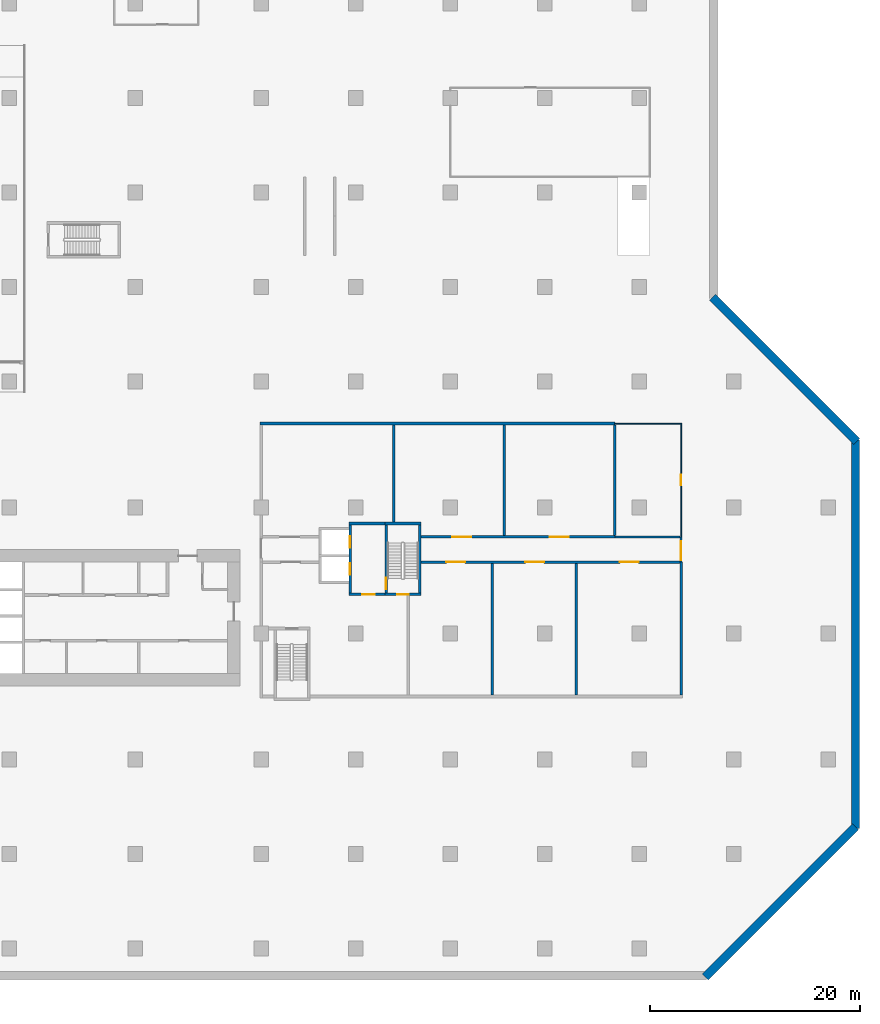
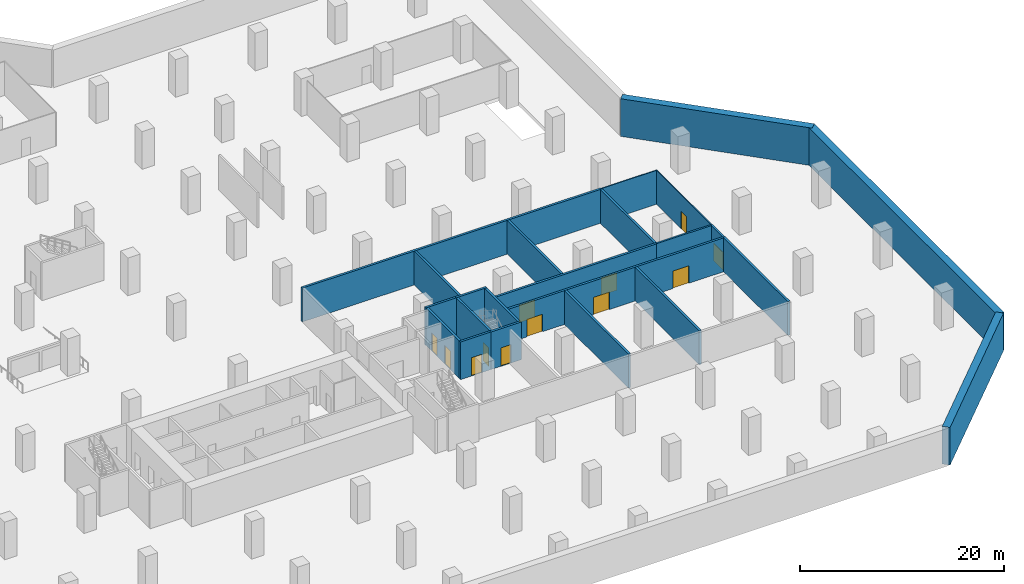
# One storey, part 5 of 10: 23 walls, 12 doors, 12 openings.
"""IFC4 building model written with IfcOpenShell, lengths in metres."""

from ifc_helpers import new_model, si_unit, direction, frame, frame_2d, origin, place, context, subcontext, project, spatial, rectangle, extrude, material, layer, layer_set, type_object, element, fill, save


model = new_model("IFC4")

# Units and contexts
model_context = context("Model", 3, precision=1e-05, world=origin(), true_north=direction((0.0, 1.0)))
body_context = subcontext(model_context, "Body", "Model", "MODEL_VIEW")
ifc_project = project(units=[si_unit("LENGTHUNIT", "METRE"), si_unit("AREAUNIT", "SQUARE_METRE"), si_unit("VOLUMEUNIT", "CUBIC_METRE"), si_unit("PLANEANGLEUNIT", "RADIAN"), si_unit("MASSUNIT", "GRAM", prefix="KILO")], contexts=[model_context])

# Site, building, storey
site_placement = place(None, origin())
site = spatial("IfcSite", under=ifc_project, at=site_placement, CompositionType="ELEMENT")
building_placement = place(site_placement, origin())
building = spatial("IfcBuilding", under=site, at=building_placement, Name="Chenar Terraces", CompositionType="ELEMENT")
storey_placement = place(building_placement, frame((0.0, 0.0, -9.0)))
storey = spatial("IfcBuildingStorey", under=building, at=storey_placement, Name="B2", CompositionType="ELEMENT", Elevation=-9.0)

# Wall, opening, door
ifc_material_1 = material(Name="Concrete C70/85", Category="concrete")
ifc_layer_1 = layer(ifc_material_1, 0.25)
ifc_layer_set_1 = layer_set([ifc_layer_1], Name="Concrete C70/85")
wall_type_1 = type_object("IfcWallType", Name="Core wall 250 Concrete C70/85", PredefinedType="SHEAR", material=ifc_layer_set_1)
wall_1_placement = place(storey_placement, frame((47.77490234375, 15.72509765625, 0.0), z_axis=(0.0, 0.0, 1.0), x_axis=(1.0, 0.0, 0.0)))
wall_1 = element("IfcWall", 1, at=wall_1_placement, inside=storey, type_object=wall_type_1, Name="Core wall ST3_S B2", PredefinedType="SHEAR", context=body_context, shape_type="SweptSolid", body=[
    extrude(rectangle(XDim=3.4501953125, YDim=0.25, at=frame_2d((1.72509765625, 0.0))), origin(), (0.0, 0.0, 1.0), 4.5),
])
opening_1_placement = place(wall_1_placement, frame((1.175048828125, 0.0, 0.0)))
opening_1 = element("IfcOpeningElement", 2, at=opening_1_placement, cuts=wall_1, Name="Opening DB2-C8", PredefinedType="OPENING", context=body_context, shape_type="SweptSolid", body=[
    extrude(rectangle(XDim=1.10009765625, YDim=2.199951171875, at=frame_2d((0.550048828125, 1.10009765625))), frame((0.0, 0.135009765625, 0.0), z_axis=(0.0, -1.0, 0.0), x_axis=(1.0, 0.0, 0.0)), (0.0, 0.0, 1.0), 0.27001953125),
])
ifc_material_2 = material(Name="Steel-framed fire-resisting door leaf", Category="steel")
door_type_1 = type_object("IfcDoorType", Name="Stair fire door FD60 1100 x 2200", OperationType="SINGLE_SWING_LEFT", PredefinedType="DOOR", material=ifc_material_2)
door_1_placement = place(opening_1_placement, origin())
door_1 = element("IfcDoor", 3, at=door_1_placement, inside=storey, type_object=door_type_1, Name="Stair door DB2-C8", OperationType="SINGLE_SWING_LEFT", OverallHeight=2.199951171875, OverallWidth=1.10009765625, PredefinedType="DOOR", context=body_context, shape_type="SweptSolid", body=[
    extrude(rectangle(XDim=1.10009765625, YDim=2.199951171875, at=frame_2d((0.550048828125, 1.10009765625))), frame((0.0, 0.02490234375, 0.0), z_axis=(0.0, -1.0, 0.0), x_axis=(1.0, 0.0, 0.0)), (0.0, 0.0, 1.0), 0.050048828125),
])
fill(opening_1, door_1)

# Wall
wall_2_placement = place(storey_placement, frame((47.77490234375, 22.47509765625, 0.0), z_axis=(0.0, 0.0, 1.0), x_axis=(1.0, 0.0, 0.0)))
element("IfcWall", 4, at=wall_2_placement, inside=storey, type_object=wall_type_1, Name="Core wall ST3_N B2", PredefinedType="SHEAR", context=body_context, shape_type="SweptSolid", body=[
    extrude(rectangle(XDim=3.4501953125, YDim=0.25, at=frame_2d((1.72509765625, 0.0))), origin(), (0.0, 0.0, 1.0), 4.5),
])

# Wall, opening, door
wall_3_placement = place(storey_placement, frame((47.89990234375, 15.85009765625, 0.0), z_axis=(0.0, 0.0, 1.0), x_axis=(0.0, 1.0, 0.0)))
wall_3 = element("IfcWall", 5, at=wall_3_placement, inside=storey, type_object=wall_type_1, Name="Core wall ST3_W B2", PredefinedType="SHEAR", context=body_context, shape_type="SweptSolid", body=[
    extrude(rectangle(XDim=6.5, YDim=0.25, at=frame_2d((3.25, 0.0))), origin(), (0.0, 0.0, 1.0), 4.5),
])
opening_2_placement = place(wall_3_placement, frame((0.35009765625, 0.0, 0.0)))
opening_2 = element("IfcOpeningElement", 6, at=opening_2_placement, cuts=wall_3, Name="Opening DB2-C11", PredefinedType="OPENING", context=body_context, shape_type="SweptSolid", body=[
    extrude(rectangle(XDim=1.10009765625, YDim=2.199951171875, at=frame_2d((0.550048828125, 1.10009765625))), frame((0.0, 0.135009765625, 0.0), z_axis=(0.0, -1.0, 0.0), x_axis=(1.0, 0.0, 0.0)), (0.0, 0.0, 1.0), 0.27001953125),
])
door_2_placement = place(opening_2_placement, frame((1.10009765625, 0.0, 0.0), z_axis=(0.0, 0.0, 1.0), x_axis=(-1.0, 0.0, 0.0)))
door_2 = element("IfcDoor", 7, at=door_2_placement, inside=storey, type_object=door_type_1, Name="Stair door DB2-C11", OperationType="SINGLE_SWING_RIGHT", OverallHeight=2.199951171875, OverallWidth=1.10009765625, PredefinedType="DOOR", context=body_context, shape_type="SweptSolid", body=[
    extrude(rectangle(XDim=1.10009765625, YDim=2.199951171875, at=frame_2d((0.550048828125, 1.10009765625))), frame((0.0, 0.02490234375, 0.0), z_axis=(0.0, -1.0, 0.0), x_axis=(1.0, 0.0, 0.0)), (0.0, 0.0, 1.0), 0.050048828125),
])
fill(opening_2, door_2)

# Wall
wall_4_placement = place(storey_placement, frame((51.10009765625, 15.85009765625, 0.0), z_axis=(0.0, 0.0, 1.0), x_axis=(0.0, 1.0, 0.0)))
element("IfcWall", 8, at=wall_4_placement, inside=storey, type_object=wall_type_1, Name="Core wall ST3_E B2", PredefinedType="SHEAR", context=body_context, shape_type="SweptSolid", body=[
    extrude(rectangle(XDim=6.5, YDim=0.25, at=frame_2d((3.25, 0.0))), origin(), (0.0, 0.0, 1.0), 4.5),
])

# Wall, opening, door
wall_5_placement = place(storey_placement, frame((44.35009765625, 15.72509765625, 0.0), z_axis=(0.0, 0.0, 1.0), x_axis=(1.0, 0.0, 0.0)))
wall_5 = element("IfcWall", 9, at=wall_5_placement, inside=storey, type_object=wall_type_1, Name="Core wall F3_LS B2", PredefinedType="SHEAR", context=body_context, shape_type="SweptSolid", body=[
    extrude(rectangle(XDim=3.4248046875, YDim=0.25, at=frame_2d((1.71240234375, 0.0))), origin(), (0.0, 0.0, 1.0), 4.5),
])
opening_3_placement = place(wall_5_placement, frame((1.25, 0.0, 0.0)))
opening_3 = element("IfcOpeningElement", 10, at=opening_3_placement, cuts=wall_5, Name="Opening DB2-C10", PredefinedType="OPENING", context=body_context, shape_type="SweptSolid", body=[
    extrude(rectangle(XDim=1.199951171875, YDim=2.199951171875, at=frame_2d((0.60009765625, 1.10009765625))), frame((0.0, 0.135009765625, 0.0), z_axis=(0.0, -1.0, 0.0), x_axis=(1.0, 0.0, 0.0)), (0.0, 0.0, 1.0), 0.27001953125),
])
ifc_material_3 = material(Name="Steel-framed fire-resisting door leaf", Category="steel")
door_type_2 = type_object("IfcDoorType", Name="Lobby fire door FD60 1200 x 2200", OperationType="SINGLE_SWING_LEFT", PredefinedType="DOOR", material=ifc_material_3)
door_3_placement = place(opening_3_placement, frame((1.199951171875, 0.0, 0.0), z_axis=(0.0, 0.0, 1.0), x_axis=(-1.0, 0.0, 0.0)))
door_3 = element("IfcDoor", 11, at=door_3_placement, inside=storey, type_object=door_type_2, Name="Core door DB2-C10", OperationType="SINGLE_SWING_RIGHT", OverallHeight=2.199951171875, OverallWidth=1.199951171875, PredefinedType="DOOR", context=body_context, shape_type="SweptSolid", body=[
    extrude(rectangle(XDim=1.199951171875, YDim=2.199951171875, at=frame_2d((0.60009765625, 1.10009765625))), frame((0.0, 0.02490234375, 0.0), z_axis=(0.0, -1.0, 0.0), x_axis=(1.0, 0.0, 0.0)), (0.0, 0.0, 1.0), 0.050048828125),
])
fill(opening_3, door_3)

# Wall
wall_6_placement = place(storey_placement, frame((44.35009765625, 22.47509765625, 0.0), z_axis=(0.0, 0.0, 1.0), x_axis=(1.0, 0.0, 0.0)))
element("IfcWall", 12, at=wall_6_placement, inside=storey, type_object=wall_type_1, Name="Core wall F3_LN B2", PredefinedType="SHEAR", context=body_context, shape_type="SweptSolid", body=[
    extrude(rectangle(XDim=3.4248046875, YDim=0.25, at=frame_2d((1.71240234375, 0.0))), origin(), (0.0, 0.0, 1.0), 4.5),
])

# Wall, openings, doors
wall_7_placement = place(storey_placement, frame((44.47509765625, 15.85009765625, 0.0), z_axis=(0.0, 0.0, 1.0), x_axis=(0.0, 1.0, 0.0)))
wall_7 = element("IfcWall", 13, at=wall_7_placement, inside=storey, type_object=wall_type_1, Name="Core wall F3_LW B2", PredefinedType="SHEAR", context=body_context, shape_type="SweptSolid", body=[
    extrude(rectangle(XDim=6.5, YDim=0.25, at=frame_2d((3.25, 0.0))), origin(), (0.0, 0.0, 1.0), 4.5),
])
opening_4_placement = place(wall_7_placement, frame((1.75, 0.0, 0.0)))
opening_4 = element("IfcOpeningElement", 14, at=opening_4_placement, cuts=wall_7, Name="Opening DB2-LD4", PredefinedType="OPENING", context=body_context, shape_type="SweptSolid", body=[
    extrude(rectangle(XDim=1.10009765625, YDim=2.199951171875, at=frame_2d((0.550048828125, 1.10009765625))), frame((0.0, 0.135009765625, 0.0), z_axis=(0.0, -1.0, 0.0), x_axis=(1.0, 0.0, 0.0)), (0.0, 0.0, 1.0), 0.27001953125),
])
opening_5_placement = place(wall_7_placement, frame((4.300048828125, 0.0, 0.0)))
opening_5 = element("IfcOpeningElement", 15, at=opening_5_placement, cuts=wall_7, Name="Opening DB2-LD5", PredefinedType="OPENING", context=body_context, shape_type="SweptSolid", body=[
    extrude(rectangle(XDim=1.10009765625, YDim=2.199951171875, at=frame_2d((0.550048828125, 1.10009765625))), frame((0.0, 0.135009765625, 0.0), z_axis=(0.0, -1.0, 0.0), x_axis=(1.0, 0.0, 0.0)), (0.0, 0.0, 1.0), 0.27001953125),
])
ifc_material_4 = material(Name="Stainless steel", Category="steel")
door_type_3 = type_object("IfcDoorType", Name="Lift landing door 1100 x 2200 sliding", OperationType="DOUBLE_DOOR_SLIDING", PredefinedType="DOOR", material=ifc_material_4)
door_4_placement = place(opening_4_placement, origin())
door_4 = element("IfcDoor", 16, at=door_4_placement, inside=storey, type_object=door_type_3, Name="Landing door F3", OperationType="DOUBLE_DOOR_SLIDING", OverallHeight=2.199951171875, OverallWidth=1.10009765625, PredefinedType="DOOR", context=body_context, shape_type="SweptSolid", body=[
    extrude(rectangle(XDim=1.10009765625, YDim=2.199951171875, at=frame_2d((0.550048828125, 1.10009765625))), frame((0.0, 0.02490234375, 0.0), z_axis=(0.0, -1.0, 0.0), x_axis=(1.0, 0.0, 0.0)), (0.0, 0.0, 1.0), 0.050048828125),
])
fill(opening_4, door_4)
door_5_placement = place(opening_5_placement, origin())
door_5 = element("IfcDoor", 17, at=door_5_placement, inside=storey, type_object=door_type_3, Name="Landing door F4", OperationType="DOUBLE_DOOR_SLIDING", OverallHeight=2.199951171875, OverallWidth=1.10009765625, PredefinedType="DOOR", context=body_context, shape_type="SweptSolid", body=[
    extrude(rectangle(XDim=1.10009765625, YDim=2.199951171875, at=frame_2d((0.550048828125, 1.10009765625))), frame((0.0, 0.02490234375, 0.0), z_axis=(0.0, -1.0, 0.0), x_axis=(1.0, 0.0, 0.0)), (0.0, 0.0, 1.0), 0.050048828125),
])
fill(opening_5, door_5)

# Wall
ifc_material_5 = material(Name="Gypsum board on steel studs with fire boards", Category="steel")
ifc_layer_2 = layer(ifc_material_5, 0.199951171875)
ifc_layer_set_2 = layer_set([ifc_layer_2], Name="Gypsum board on steel studs with fire boards")
wall_type_2 = type_object("IfcWallType", Name="Corridor wall 200", PredefinedType="PARTITIONING", material=ifc_layer_set_2)
wall_8_placement = place(storey_placement, frame((69.68408203125, 21.199951171875, 0.0), z_axis=(0.0, 0.0, 1.0), x_axis=(1.0, 0.0, 0.0)))
element("IfcWall", 18, at=wall_8_placement, inside=storey, type_object=wall_type_2, Name="Partition B2-026", PredefinedType="PARTITIONING", context=body_context, shape_type="SweptSolid", body=[
    extrude(rectangle(XDim=6.2158203125, YDim=0.199951171875, at=frame_2d((3.10791015625, 0.0))), origin(), (0.0, 0.0, 1.0), 4.050048828125),
])

# Wall, opening, door
wall_9_placement = place(storey_placement, frame((76.0, 18.800048828125, 0.0), z_axis=(0.0, 0.0, 1.0), x_axis=(0.0, 1.0, 0.0)))
wall_9 = element("IfcWall", 19, at=wall_9_placement, inside=storey, type_object=wall_type_2, Name="Partition B2-031", PredefinedType="PARTITIONING", context=body_context, shape_type="SweptSolid", body=[
    extrude(rectangle(XDim=2.39990234375, YDim=0.199951171875, at=frame_2d((1.199951171875, 0.0))), origin(), (0.0, 0.0, 1.0), 4.050048828125),
])
opening_6_placement = place(wall_9_placement, frame((0.199951171875, 0.0, 0.0)))
opening_6 = element("IfcOpeningElement", 20, at=opening_6_placement, cuts=wall_9, Name="Opening DB2-2", PredefinedType="OPENING", context=body_context, shape_type="SweptSolid", body=[
    extrude(rectangle(XDim=1.800048828125, YDim=2.10009765625, at=frame_2d((0.89990234375, 1.050048828125))), frame((0.0, 0.10986328125, 0.0), z_axis=(0.0, -1.0, 0.0), x_axis=(1.0, 0.0, 0.0)), (0.0, 0.0, 1.0), 0.219970703125),
])
ifc_material_6 = material(Name="Steel-framed fire-resisting door leaf", Category="steel")
door_type_4 = type_object("IfcDoorType", Name="Fire double door FD60 1800 x 2100", OperationType="DOUBLE_DOOR_SINGLE_SWING", PredefinedType="DOOR", material=ifc_material_6)
door_6_placement = place(opening_6_placement, frame((1.800048828125, 0.0, 0.0), z_axis=(0.0, 0.0, 1.0), x_axis=(-1.0, 0.0, 0.0)))
door_6 = element("IfcDoor", 21, at=door_6_placement, inside=storey, type_object=door_type_4, Name="Door DB2-2", OperationType="DOUBLE_DOOR_SINGLE_SWING", OverallHeight=2.10009765625, OverallWidth=1.800048828125, PredefinedType="DOOR", context=body_context, shape_type="SweptSolid", body=[
    extrude(rectangle(XDim=1.800048828125, YDim=2.10009765625, at=frame_2d((0.89990234375, 1.050048828125))), frame((0.0, 0.02490234375, 0.0), z_axis=(0.0, -1.0, 0.0), x_axis=(1.0, 0.0, 0.0)), (0.0, 0.0, 1.0), 0.050048828125),
])
fill(opening_6, door_6)

# Walls
ifc_material_7 = material(Name="Concrete C40/50", Category="concrete")
ifc_layer_3 = layer(ifc_material_7, 0.800048828125)
ifc_layer_set_3 = layer_set([ifc_layer_3], Name="Concrete C40/50")
wall_type_3 = type_object("IfcWallType", Name="Diaphragm wall 800 Concrete C40/50", PredefinedType="SOLIDWALL", material=ifc_layer_set_3)
wall_10_placement = place(storey_placement, frame((78.294189453125, -20.71728515625, 0.0), z_axis=(0.0, 0.0, 1.0), x_axis=(0.707112814855, 0.707100747466, 0.0)))
element("IfcWall", 22, at=wall_10_placement, inside=storey, type_object=wall_type_3, Name="Diaphragm wall B2 7", PredefinedType="SOLIDWALL", context=body_context, shape_type="SweptSolid", body=[
    extrude(rectangle(XDim=20.2314453125, YDim=0.800048828125, at=frame_2d((10.11572265625, 0.0))), origin(), (0.0, 0.0, 1.0), 4.5),
])
wall_11_placement = place(storey_placement, frame((92.60009765625, -6.5771484375, 0.0), z_axis=(0.0, 0.0, 1.0), x_axis=(0.0, 1.0, 0.0)))
element("IfcWall", 23, at=wall_11_placement, inside=storey, type_object=wall_type_3, Name="Diaphragm wall B2 8", PredefinedType="SOLIDWALL", context=body_context, shape_type="SweptSolid", body=[
    extrude(rectangle(XDim=36.98876953125, YDim=0.800048828125, at=frame_2d((18.494384765625, 0.0))), origin(), (0.0, 0.0, 1.0), 4.5),
])
wall_12_placement = place(storey_placement, frame((92.71728515625, 30.294189453125, 0.0), z_axis=(0.0, 0.0, 1.0), x_axis=(-0.707106781187, 0.707106781187, 0.0)))
element("IfcWall", 24, at=wall_12_placement, inside=storey, type_object=wall_type_3, Name="Diaphragm wall B2 9", PredefinedType="SOLIDWALL", context=body_context, shape_type="SweptSolid", body=[
    extrude(rectangle(XDim=19.42333984375, YDim=0.800048828125, at=frame_2d((9.711669921875, 0.0))), origin(), (0.0, 0.0, 1.0), 4.5),
])
ifc_material_8 = material(Name="Gypsum board on steel studs", Category="steel")
ifc_layer_4 = layer(ifc_material_8, 0.10009765625)
ifc_layer_set_4 = layer_set([ifc_layer_4], Name="Gypsum board on steel studs")
wall_type_4 = type_object("IfcWallType", Name="Gypsum partition 100", PredefinedType="PARTITIONING", material=ifc_layer_set_4)
wall_13_placement = place(storey_placement, frame((69.68408203125, 32.0, 0.0), z_axis=(0.0, 0.0, 1.0), x_axis=(1.0, 0.0, 0.0)))
element("IfcWall", 25, at=wall_13_placement, inside=storey, type_object=wall_type_4, Name="Partition B2-028", PredefinedType="PARTITIONING", context=body_context, shape_type="SweptSolid", body=[
    extrude(rectangle(XDim=6.265869140625, YDim=0.10009765625, at=frame_2d((3.1328125, 0.0))), origin(), (0.0, 0.0, 1.0), 4.050048828125),
])

# Wall, opening, door
wall_14_placement = place(storey_placement, frame((76.0, 21.199951171875, 0.0), z_axis=(0.0, 0.0, 1.0), x_axis=(0.0, 1.0, 0.0)))
wall_14 = element("IfcWall", 26, at=wall_14_placement, inside=storey, type_object=wall_type_4, Name="Partition B2-032", PredefinedType="PARTITIONING", context=body_context, shape_type="SweptSolid", body=[
    extrude(rectangle(XDim=10.85009765625, YDim=0.10009765625, at=frame_2d((5.425048828125, 0.0))), origin(), (0.0, 0.0, 1.0), 4.050048828125),
])
opening_7_placement = place(wall_14_placement, frame((4.89990234375, 0.0, 0.0)))
opening_7 = element("IfcOpeningElement", 27, at=opening_7_placement, cuts=wall_14, Name="Opening DB2-10", PredefinedType="OPENING", context=body_context, shape_type="SweptSolid", body=[
    extrude(rectangle(XDim=1.0, YDim=2.10009765625, at=frame_2d((0.5, 1.050048828125))), frame((0.0, 0.06005859375, 0.0), z_axis=(0.0, -1.0, 0.0), x_axis=(1.0, 0.0, 0.0)), (0.0, 0.0, 1.0), 0.1201171875),
])
ifc_material_9 = material(Name="Veneered timber door leaf", Category="wood")
door_type_5 = type_object("IfcDoorType", Name="Door 1000 x 2100", OperationType="SINGLE_SWING_LEFT", PredefinedType="DOOR", material=ifc_material_9)
door_7_placement = place(opening_7_placement, origin())
door_7 = element("IfcDoor", 28, at=door_7_placement, inside=storey, type_object=door_type_5, Name="Door DB2-10", OperationType="SINGLE_SWING_RIGHT", OverallHeight=2.10009765625, OverallWidth=1.0, PredefinedType="DOOR", context=body_context, shape_type="SweptSolid", body=[
    extrude(rectangle(XDim=1.0, YDim=2.10009765625, at=frame_2d((0.5, 1.050048828125))), frame((0.0, 0.02490234375, 0.0), z_axis=(0.0, -1.0, 0.0), x_axis=(1.0, 0.0, 0.0)), (0.0, 0.0, 1.0), 0.050048828125),
])
fill(opening_7, door_7)

# Walls
ifc_material_10 = material(Name="Fire-board and steel stud wall with mineral wool", Category="steel")
ifc_layer_5 = layer(ifc_material_10, 0.25)
ifc_layer_set_5 = layer_set([ifc_layer_5], Name="Fire-board and steel stud wall with mineral wool")
wall_type_5 = type_object("IfcWallType", Name="Plant room wall 250", PredefinedType="PARTITIONING", material=ifc_layer_set_5)
wall_15_placement = place(storey_placement, frame((35.875, 32.0, 0.0), z_axis=(0.0, 0.0, 1.0), x_axis=(1.0, 0.0, 0.0)))
element("IfcWall", 29, at=wall_15_placement, inside=storey, type_object=wall_type_5, Name="Partition B2-005", PredefinedType="PARTITIONING", context=body_context, shape_type="SweptSolid", body=[
    extrude(rectangle(XDim=33.80908203125, YDim=0.25, at=frame_2d((16.904541015625, 0.0))), origin(), (0.0, 0.0, 1.0), 4.050048828125),
])
wall_16_placement = place(storey_placement, frame((48.632080078125, 22.60009765625, 0.0), z_axis=(0.0, 0.0, 1.0), x_axis=(0.0, 1.0, 0.0)))
element("IfcWall", 30, at=wall_16_placement, inside=storey, type_object=wall_type_5, Name="Partition B2-015", PredefinedType="PARTITIONING", context=body_context, shape_type="SweptSolid", body=[
    extrude(rectangle(XDim=9.27490234375, YDim=0.25, at=frame_2d((4.637451171875, 0.0))), origin(), (0.0, 0.0, 1.0), 4.050048828125),
])

# Wall, openings, doors
wall_17_placement = place(storey_placement, frame((51.22509765625, 18.800048828125, 0.0), z_axis=(0.0, 0.0, 1.0), x_axis=(1.0, 0.0, 0.0)))
wall_17 = element("IfcWall", 31, at=wall_17_placement, inside=storey, type_object=wall_type_5, Name="Partition B2-017", PredefinedType="PARTITIONING", context=body_context, shape_type="SweptSolid", body=[
    extrude(rectangle(XDim=24.64990234375, YDim=0.25, at=frame_2d((12.324951171875, 0.0))), origin(), (0.0, 0.0, 1.0), 4.050048828125),
])
opening_8_placement = place(wall_17_placement, frame((2.39990234375, 0.0, 0.0)))
opening_8 = element("IfcOpeningElement", 32, at=opening_8_placement, cuts=wall_17, Name="Opening DB2-4", PredefinedType="OPENING", context=body_context, shape_type="SweptSolid", body=[
    extrude(rectangle(XDim=1.800048828125, YDim=2.10009765625, at=frame_2d((0.89990234375, 1.050048828125))), frame((0.0, 0.135009765625, 0.0), z_axis=(0.0, -1.0, 0.0), x_axis=(1.0, 0.0, 0.0)), (0.0, 0.0, 1.0), 0.27001953125),
])
opening_9_placement = place(wall_17_placement, frame((9.925048828125, 0.0, 0.0)))
opening_9 = element("IfcOpeningElement", 33, at=opening_9_placement, cuts=wall_17, Name="Opening DB2-5", PredefinedType="OPENING", context=body_context, shape_type="SweptSolid", body=[
    extrude(rectangle(XDim=1.800048828125, YDim=2.10009765625, at=frame_2d((0.89990234375, 1.050048828125))), frame((0.0, 0.135009765625, 0.0), z_axis=(0.0, -1.0, 0.0), x_axis=(1.0, 0.0, 0.0)), (0.0, 0.0, 1.0), 0.27001953125),
])
opening_10_placement = place(wall_17_placement, frame((18.925048828125, 0.0, 0.0)))
opening_10 = element("IfcOpeningElement", 34, at=opening_10_placement, cuts=wall_17, Name="Opening DB2-6", PredefinedType="OPENING", context=body_context, shape_type="SweptSolid", body=[
    extrude(rectangle(XDim=1.800048828125, YDim=2.10009765625, at=frame_2d((0.89990234375, 1.050048828125))), frame((0.0, 0.135009765625, 0.0), z_axis=(0.0, -1.0, 0.0), x_axis=(1.0, 0.0, 0.0)), (0.0, 0.0, 1.0), 0.27001953125),
])
ifc_material_11 = material(Name="Steel-framed fire-resisting door leaf", Category="steel")
door_type_6 = type_object("IfcDoorType", Name="Fire double door FD120 1800 x 2100", OperationType="DOUBLE_DOOR_SINGLE_SWING", PredefinedType="DOOR", material=ifc_material_11)
door_8_placement = place(opening_8_placement, frame((1.800048828125, 0.0, 0.0), z_axis=(0.0, 0.0, 1.0), x_axis=(-1.0, 0.0, 0.0)))
door_8 = element("IfcDoor", 35, at=door_8_placement, inside=storey, type_object=door_type_6, Name="Door DB2-4", OperationType="DOUBLE_DOOR_SINGLE_SWING", OverallHeight=2.10009765625, OverallWidth=1.800048828125, PredefinedType="DOOR", context=body_context, shape_type="SweptSolid", body=[
    extrude(rectangle(XDim=1.800048828125, YDim=2.10009765625, at=frame_2d((0.89990234375, 1.050048828125))), frame((0.0, 0.02490234375, 0.0), z_axis=(0.0, -1.0, 0.0), x_axis=(1.0, 0.0, 0.0)), (0.0, 0.0, 1.0), 0.050048828125),
])
fill(opening_8, door_8)
door_9_placement = place(opening_9_placement, frame((1.800048828125, 0.0, 0.0), z_axis=(0.0, 0.0, 1.0), x_axis=(-1.0, 0.0, 0.0)))
door_9 = element("IfcDoor", 36, at=door_9_placement, inside=storey, type_object=door_type_6, Name="Door DB2-5", OperationType="DOUBLE_DOOR_SINGLE_SWING", OverallHeight=2.10009765625, OverallWidth=1.800048828125, PredefinedType="DOOR", context=body_context, shape_type="SweptSolid", body=[
    extrude(rectangle(XDim=1.800048828125, YDim=2.10009765625, at=frame_2d((0.89990234375, 1.050048828125))), frame((0.0, 0.02490234375, 0.0), z_axis=(0.0, -1.0, 0.0), x_axis=(1.0, 0.0, 0.0)), (0.0, 0.0, 1.0), 0.050048828125),
])
fill(opening_9, door_9)
door_10_placement = place(opening_10_placement, frame((1.800048828125, 0.0, 0.0), z_axis=(0.0, 0.0, 1.0), x_axis=(-1.0, 0.0, 0.0)))
door_10 = element("IfcDoor", 37, at=door_10_placement, inside=storey, type_object=door_type_6, Name="Door DB2-6", OperationType="DOUBLE_DOOR_SINGLE_SWING", OverallHeight=2.10009765625, OverallWidth=1.800048828125, PredefinedType="DOOR", context=body_context, shape_type="SweptSolid", body=[
    extrude(rectangle(XDim=1.800048828125, YDim=2.10009765625, at=frame_2d((0.89990234375, 1.050048828125))), frame((0.0, 0.02490234375, 0.0), z_axis=(0.0, -1.0, 0.0), x_axis=(1.0, 0.0, 0.0)), (0.0, 0.0, 1.0), 0.050048828125),
])
fill(opening_10, door_10)

wall_18_placement = place(storey_placement, frame((51.22509765625, 21.199951171875, 0.0), z_axis=(0.0, 0.0, 1.0), x_axis=(1.0, 0.0, 0.0)))
wall_18 = element("IfcWall", 38, at=wall_18_placement, inside=storey, type_object=wall_type_5, Name="Partition B2-018", PredefinedType="PARTITIONING", context=body_context, shape_type="SweptSolid", body=[
    extrude(rectangle(XDim=18.458984375, YDim=0.25, at=frame_2d((9.2294921875, 0.0))), origin(), (0.0, 0.0, 1.0), 4.050048828125),
])
opening_11_placement = place(wall_18_placement, frame((2.98291015625, 0.0, 0.0)))
opening_11 = element("IfcOpeningElement", 39, at=opening_11_placement, cuts=wall_18, Name="Opening DB2-8", PredefinedType="OPENING", context=body_context, shape_type="SweptSolid", body=[
    extrude(rectangle(XDim=1.800048828125, YDim=2.10009765625, at=frame_2d((0.89990234375, 1.050048828125))), frame((0.0, 0.135009765625, 0.0), z_axis=(0.0, -1.0, 0.0), x_axis=(1.0, 0.0, 0.0)), (0.0, 0.0, 1.0), 0.27001953125),
])
opening_12_placement = place(wall_18_placement, frame((12.259033203125, 0.0, 0.0)))
opening_12 = element("IfcOpeningElement", 40, at=opening_12_placement, cuts=wall_18, Name="Opening DB2-9", PredefinedType="OPENING", context=body_context, shape_type="SweptSolid", body=[
    extrude(rectangle(XDim=1.800048828125, YDim=2.10009765625, at=frame_2d((0.89990234375, 1.050048828125))), frame((0.0, 0.135009765625, 0.0), z_axis=(0.0, -1.0, 0.0), x_axis=(1.0, 0.0, 0.0)), (0.0, 0.0, 1.0), 0.27001953125),
])
door_11_placement = place(opening_11_placement, origin())
door_11 = element("IfcDoor", 41, at=door_11_placement, inside=storey, type_object=door_type_6, Name="Door DB2-8", OperationType="DOUBLE_DOOR_SINGLE_SWING", OverallHeight=2.10009765625, OverallWidth=1.800048828125, PredefinedType="DOOR", context=body_context, shape_type="SweptSolid", body=[
    extrude(rectangle(XDim=1.800048828125, YDim=2.10009765625, at=frame_2d((0.89990234375, 1.050048828125))), frame((0.0, 0.02490234375, 0.0), z_axis=(0.0, -1.0, 0.0), x_axis=(1.0, 0.0, 0.0)), (0.0, 0.0, 1.0), 0.050048828125),
])
fill(opening_11, door_11)
door_12_placement = place(opening_12_placement, origin())
door_12 = element("IfcDoor", 42, at=door_12_placement, inside=storey, type_object=door_type_6, Name="Door DB2-9", OperationType="DOUBLE_DOOR_SINGLE_SWING", OverallHeight=2.10009765625, OverallWidth=1.800048828125, PredefinedType="DOOR", context=body_context, shape_type="SweptSolid", body=[
    extrude(rectangle(XDim=1.800048828125, YDim=2.10009765625, at=frame_2d((0.89990234375, 1.050048828125))), frame((0.0, 0.02490234375, 0.0), z_axis=(0.0, -1.0, 0.0), x_axis=(1.0, 0.0, 0.0)), (0.0, 0.0, 1.0), 0.050048828125),
])
fill(opening_12, door_12)

# Walls
wall_19_placement = place(storey_placement, frame((58.0, 6.125, 0.0), z_axis=(0.0, 0.0, 1.0), x_axis=(0.0, 1.0, 0.0)))
element("IfcWall", 43, at=wall_19_placement, inside=storey, type_object=wall_type_5, Name="Partition B2-023", PredefinedType="PARTITIONING", context=body_context, shape_type="SweptSolid", body=[
    extrude(rectangle(XDim=12.550048828125, YDim=0.25, at=frame_2d((6.27490234375, 0.0))), origin(), (0.0, 0.0, 1.0), 4.050048828125),
])
wall_20_placement = place(storey_placement, frame((59.157958984375, 21.324951171875, 0.0), z_axis=(0.0, 0.0, 1.0), x_axis=(0.0, 1.0, 0.0)))
element("IfcWall", 44, at=wall_20_placement, inside=storey, type_object=wall_type_5, Name="Partition B2-024", PredefinedType="PARTITIONING", context=body_context, shape_type="SweptSolid", body=[
    extrude(rectangle(XDim=10.550048828125, YDim=0.25, at=frame_2d((5.27490234375, 0.0))), origin(), (0.0, 0.0, 1.0), 4.050048828125),
])
wall_21_placement = place(storey_placement, frame((66.0, 6.125, 0.0), z_axis=(0.0, 0.0, 1.0), x_axis=(0.0, 1.0, 0.0)))
element("IfcWall", 45, at=wall_21_placement, inside=storey, type_object=wall_type_5, Name="Partition B2-025", PredefinedType="PARTITIONING", context=body_context, shape_type="SweptSolid", body=[
    extrude(rectangle(XDim=12.550048828125, YDim=0.25, at=frame_2d((6.27490234375, 0.0))), origin(), (0.0, 0.0, 1.0), 4.050048828125),
])
wall_22_placement = place(storey_placement, frame((69.68408203125, 21.324951171875, 0.0), z_axis=(0.0, 0.0, 1.0), x_axis=(0.0, 1.0, 0.0)))
element("IfcWall", 46, at=wall_22_placement, inside=storey, type_object=wall_type_5, Name="Partition B2-027", PredefinedType="PARTITIONING", context=body_context, shape_type="SweptSolid", body=[
    extrude(rectangle(XDim=10.550048828125, YDim=0.25, at=frame_2d((5.27490234375, 0.0))), origin(), (0.0, 0.0, 1.0), 4.050048828125),
])
wall_23_placement = place(storey_placement, frame((76.0, 6.125, 0.0), z_axis=(0.0, 0.0, 1.0), x_axis=(0.0, 1.0, 0.0)))
element("IfcWall", 47, at=wall_23_placement, inside=storey, type_object=wall_type_5, Name="Partition B2-030", PredefinedType="PARTITIONING", context=body_context, shape_type="SweptSolid", body=[
    extrude(rectangle(XDim=12.675048828125, YDim=0.25, at=frame_2d((6.33740234375, 0.0))), origin(), (0.0, 0.0, 1.0), 4.050048828125),
])

save(model, "model.ifc")
